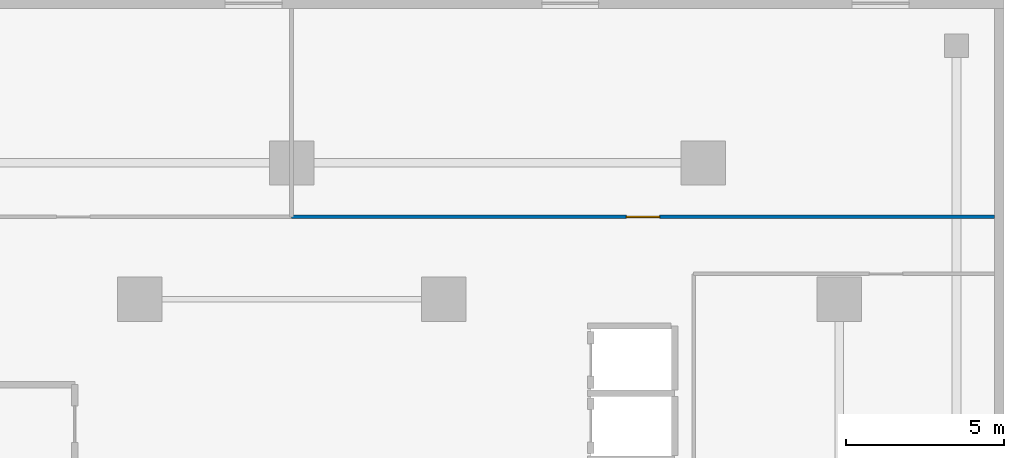
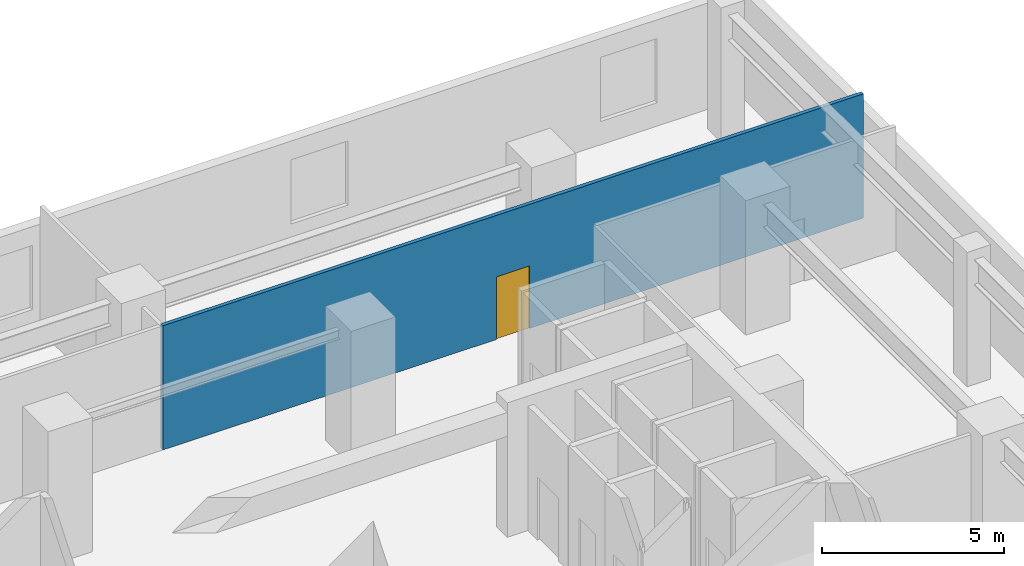
# One storey, part 19 of 25: 1 door, 1 wall, 1 opening.
"""IFC4 building model written with IfcOpenShell, lengths in metres."""

from ifc_helpers import new_model, si_unit, direction, frame, frame_2d, origin, place, context, subcontext, project, spatial, rectangle, extrude, material, layer, layer_set, type_object, element, fill, save


model = new_model("IFC4")

# Units and contexts
model_context = context("Model", 3, precision=1e-05, world=origin(), true_north=direction((0.0, 1.0)))
body_context = subcontext(model_context, "Body", "Model", "MODEL_VIEW")
ifc_project = project(units=[si_unit("LENGTHUNIT", "METRE"), si_unit("AREAUNIT", "SQUARE_METRE"), si_unit("VOLUMEUNIT", "CUBIC_METRE"), si_unit("PLANEANGLEUNIT", "RADIAN"), si_unit("MASSUNIT", "GRAM", prefix="KILO")], contexts=[model_context])

# Site, building, storey
site_placement = place(None, origin())
site = spatial("IfcSite", under=ifc_project, at=site_placement, CompositionType="ELEMENT")
building_placement = place(site_placement, origin())
building = spatial("IfcBuilding", under=site, at=building_placement, Name="Thornwick Lancets Civic Towers", CompositionType="ELEMENT")
storey_placement = place(building_placement, frame((0.0, 0.0, 9.60009765625)))
storey = spatial("IfcBuildingStorey", under=building, at=storey_placement, Name="L02", CompositionType="ELEMENT", Elevation=9.60009765625)

# Wall, opening, door
ifc_material_1 = material(Name="Acoustic gypsum board partition")
ifc_layer = layer(ifc_material_1, 0.1201171875, Name="Acoustic gypsum board partition")
ifc_layer_set = layer_set([ifc_layer], Name="Acoustic gypsum board partition")
wall_type = type_object("IfcWallType", Name="WALL_PART_120", PredefinedType="PARTITIONING", material=ifc_layer_set)
wall_placement = place(storey_placement, frame((110.699951171875, 42.60009765625, 0.0), z_axis=(0.0, 0.0, 1.0), x_axis=(-1.0, 0.0, 0.0)))
wall = element("IfcWall", 1, at=wall_placement, inside=storey, type_object=wall_type, Name="L02 Partition L02-OFFNE E4", PredefinedType="PARTITIONING", context=body_context, shape_type="SweptSolid", body=[
    extrude(rectangle(XDim=22.199951171875, YDim=0.1201171875, at=frame_2d((11.10009765625, 0.0))), origin(), (0.0, 0.0, 1.0), 4.159912109375),
])
opening_placement = place(wall_placement, frame((10.574951171875, 0.0, 0.0)))
opening = element("IfcOpeningElement", 2, at=opening_placement, cuts=wall, Name="Opening D-L02-0176", PredefinedType="OPENING", context=body_context, shape_type="SweptSolid", body=[
    extrude(rectangle(XDim=1.050048828125, YDim=2.10009765625, at=frame_2d((0.52490234375, 1.050048828125))), frame((0.0, 0.070068359375, 0.0), z_axis=(0.0, -1.0, 0.0), x_axis=(1.0, 0.0, 0.0)), (0.0, 0.0, 1.0), 0.14013671875),
])
ifc_material_2 = material(Name="Glazed European oak executive doorset")
door_type = type_object("IfcDoorType", Name="DOOR_OFFICE_1050", OperationType="NOTDEFINED", PredefinedType="DOOR", material=ifc_material_2)
door_placement = place(opening_placement, origin())
door = element("IfcDoor", 3, at=door_placement, inside=storey, type_object=door_type, Name="L02 North-East Directorate Suite Door", OperationType="SINGLE_SWING_LEFT", OverallHeight=2.10009765625, OverallWidth=1.050048828125, PredefinedType="DOOR", context=body_context, shape_type="SweptSolid", body=[
    extrude(rectangle(XDim=1.050048828125, YDim=2.10009765625, at=frame_2d((0.52490234375, 1.050048828125))), frame((0.0, 0.02490234375, 0.0), z_axis=(0.0, -1.0, 0.0), x_axis=(1.0, 0.0, 0.0)), (0.0, 0.0, 1.0), 0.050048828125),
])
fill(opening, door)

save(model, "model.ifc")
